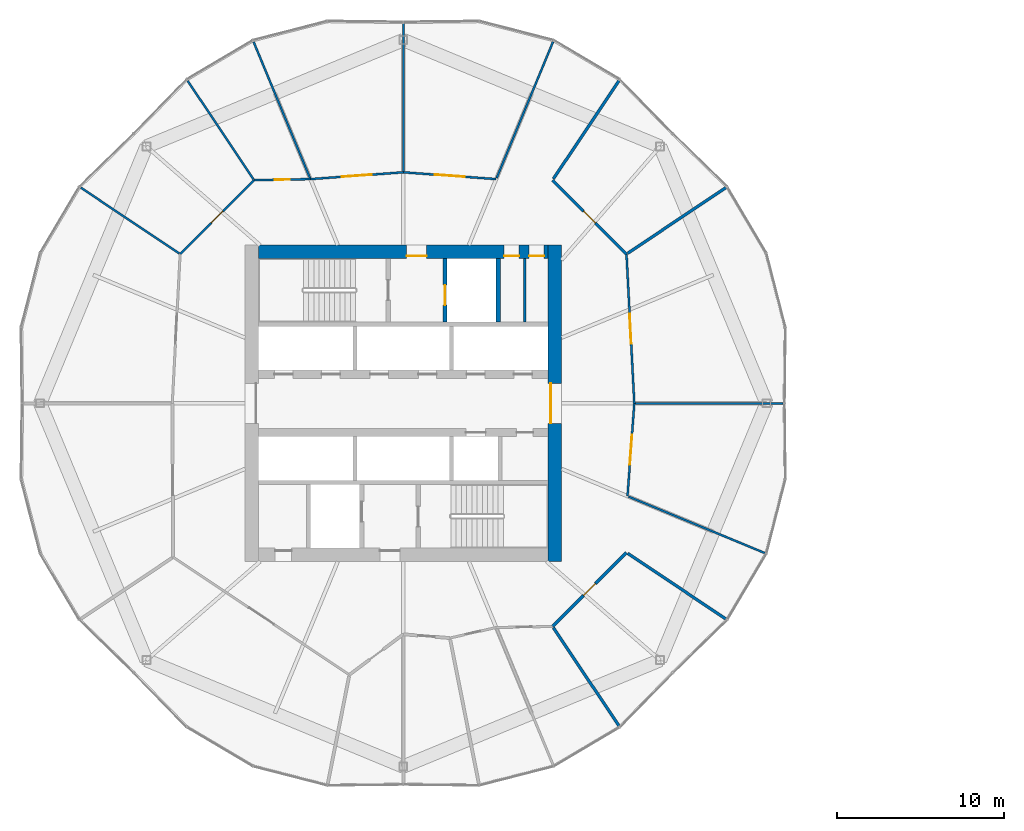
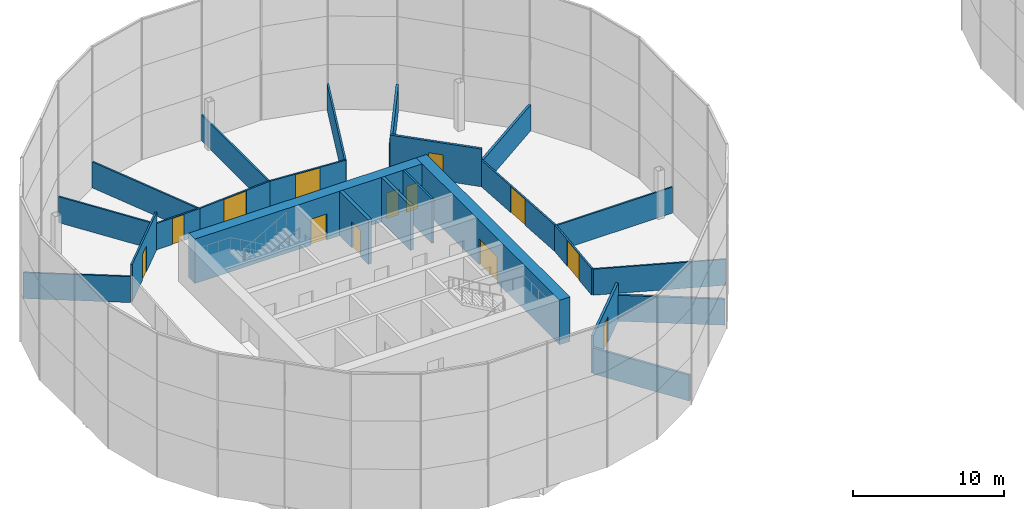
# One storey, part 21 of 25: 24 walls, 13 doors, 13 openings.
"""IFC4 building model written with IfcOpenShell, lengths in metres."""

from ifc_helpers import new_model, si_unit, direction, frame, frame_2d, origin, place, context, subcontext, project, spatial, rectangle, extrude, material, layer, layer_set, type_object, element, fill, save


model = new_model("IFC4")

# Units and contexts
model_context = context("Model", 3, precision=1e-05, world=origin(), true_north=direction((0.0, 1.0)))
body_context = subcontext(model_context, "Body", "Model", "MODEL_VIEW")
ifc_project = project(units=[si_unit("LENGTHUNIT", "METRE"), si_unit("AREAUNIT", "SQUARE_METRE"), si_unit("VOLUMEUNIT", "CUBIC_METRE"), si_unit("PLANEANGLEUNIT", "RADIAN"), si_unit("MASSUNIT", "GRAM", prefix="KILO")], contexts=[model_context])

# Site, building, storey
site_placement = place(None, origin())
site = spatial("IfcSite", under=ifc_project, at=site_placement, CompositionType="ELEMENT")
building_placement = place(site_placement, origin())
building = spatial("IfcBuilding", under=site, at=building_placement, Name="Ogive Gate Towers", CompositionType="ELEMENT")
storey_placement = place(building_placement, frame((0.0, 0.0, 44.10009765625)))
storey = spatial("IfcBuildingStorey", under=building, at=storey_placement, Name="L09", CompositionType="ELEMENT", Elevation=44.10009765625)

# Walls
ifc_material_1 = material(Name="Gypsum board acoustic partition")
ifc_layer_1 = layer(ifc_material_1, 0.175048828125)
ifc_layer_set_1 = layer_set([ifc_layer_1], Name="Acoustic partition 175")
wall_type_1 = type_object("IfcWallType", Name="Acoustic partition 175", PredefinedType="PARTITIONING", material=ifc_layer_set_1)
for number, where, z_axis, x_axis, name in (
    (1, (-16.63134765625, 12.950927734375, 0.0), (0.0, 0.0, 1.0), (-0.831292108501, -0.555835794407, 0.0), "Partition T1-L09-002"),
    (2, (-23.049072265625, 19.36865234375, 0.0), (0.0, 0.0, 1.0), (-0.555835794407, -0.831292108501, 0.0), "Partition T1-L09-003"),
    (3, (-23.049072265625, -19.36865234375, 0.0), (0.0, 0.0, 1.0), (-0.555835794407, 0.831292108501, 0.0), "Partition T1-L09-015"),
    (4, (-16.63134765625, -12.950927734375, 0.0), (0.0, 0.0, 1.0), (-0.831292108501, 0.555835794407, 0.0), "Partition T1-L09-016"),
):
    element("IfcWall", number, at=place(storey_placement, frame(where, z_axis=z_axis, x_axis=x_axis)), inside=storey, type_object=wall_type_1, Name=name, PredefinedType="PARTITIONING", context=body_context, shape_type="SweptSolid", body=[
        extrude(rectangle(XDim=7.09130859375, YDim=0.175048828125, at=frame_2d((3.545654296875, 0.0))), origin(), (0.0, 0.0, 1.0), 2.099853515625),
    ])

# Wall, opening, door
wall_1_placement = place(storey_placement, frame((-27.039306640625, -13.40087890625, 0.0), z_axis=(0.0, 0.0, 1.0), x_axis=(0.707106781187, 0.707106781187, 0.0)))
wall_1 = element("IfcWall", 5, at=wall_1_placement, inside=storey, type_object=wall_type_1, Name="Partition T1-L09-029", PredefinedType="PARTITIONING", context=body_context, shape_type="SweptSolid", body=[
    extrude(rectangle(XDim=6.279296875, YDim=0.175048828125, at=frame_2d((3.1396484375, 0.0))), origin(), (0.0, 0.0, 1.0), 3.0498046875),
])
opening_1_placement = place(wall_1_placement, frame((2.639892578125, 0.0, 0.0)))
opening_1 = element("IfcOpeningElement", 6, at=opening_1_placement, cuts=wall_1, Name="Opening T1-L09-D12", PredefinedType="OPENING", context=body_context, shape_type="SweptSolid", body=[
    extrude(rectangle(XDim=1.0, YDim=2.10009765625, at=frame_2d((0.5, 1.050048828125))), frame((0.0, 0.09765625, 0.0), z_axis=(0.0, -1.0, 0.0), x_axis=(1.0, 0.0, 0.0)), (0.0, 0.0, 1.0), 0.195068359375),
])
ifc_material_2 = material(Name="Timber door", Category="wood")
door_type_1 = type_object("IfcDoorType", Name="Door 1000", OperationType="NOTDEFINED", PredefinedType="DOOR", material=ifc_material_2)
door_1_placement = place(opening_1_placement, origin())
door_1 = element("IfcDoor", 7, at=door_1_placement, inside=storey, type_object=door_type_1, Name="Door T1-L09-D12", OperationType="SINGLE_SWING_LEFT", OverallHeight=2.10009765625, OverallWidth=1.0, PredefinedType="DOOR", context=body_context, shape_type="SweptSolid", body=[
    extrude(rectangle(XDim=1.0, YDim=2.10009765625, at=frame_2d((0.5, 1.050048828125))), frame((0.0, 0.02490234375, 0.0), z_axis=(0.0, -1.0, 0.0), x_axis=(1.0, 0.0, 0.0)), (0.0, 0.0, 1.0), 0.050048828125),
])
fill(opening_1, door_1)

wall_2_placement = place(storey_placement, frame((-22.59912109375, 8.960693359375, 0.0), z_axis=(0.0, 0.0, 1.0), x_axis=(-0.707106781187, 0.707106781187, 0.0)))
wall_2 = element("IfcWall", 8, at=wall_2_placement, inside=storey, type_object=wall_type_1, Name="Partition T1-L09-032", PredefinedType="PARTITIONING", context=body_context, shape_type="SweptSolid", body=[
    extrude(rectangle(XDim=6.279296875, YDim=0.175048828125, at=frame_2d((3.1396484375, 0.0))), origin(), (0.0, 0.0, 1.0), 3.0498046875),
])
opening_2_placement = place(wall_2_placement, frame((2.639892578125, 0.0, 0.0)))
opening_2 = element("IfcOpeningElement", 9, at=opening_2_placement, cuts=wall_2, Name="Opening T1-L09-D15", PredefinedType="OPENING", context=body_context, shape_type="SweptSolid", body=[
    extrude(rectangle(XDim=1.0, YDim=2.10009765625, at=frame_2d((0.5, 1.050048828125))), frame((0.0, 0.09765625, 0.0), z_axis=(0.0, -1.0, 0.0), x_axis=(1.0, 0.0, 0.0)), (0.0, 0.0, 1.0), 0.195068359375),
])
door_2_placement = place(opening_2_placement, origin())
door_2 = element("IfcDoor", 10, at=door_2_placement, inside=storey, type_object=door_type_1, Name="Door T1-L09-D15", OperationType="SINGLE_SWING_LEFT", OverallHeight=2.10009765625, OverallWidth=1.0, PredefinedType="DOOR", context=body_context, shape_type="SweptSolid", body=[
    extrude(rectangle(XDim=1.0, YDim=2.10009765625, at=frame_2d((0.5, 1.050048828125))), frame((0.0, 0.02490234375, 0.0), z_axis=(0.0, -1.0, 0.0), x_axis=(1.0, 0.0, 0.0)), (0.0, 0.0, 1.0), 0.050048828125),
])
fill(opening_2, door_2)

# Wall, openings, doors
ifc_material_3 = material(Name="Concrete C60/75", Category="concrete")
ifc_layer_2 = layer(ifc_material_3, 0.800048828125)
ifc_layer_set_2 = layer_set([ifc_layer_2], Name="Core wall 800 mm")
wall_type_2 = type_object("IfcWallType", Name="Core wall 800 mm", PredefinedType="SHEAR", material=ifc_layer_set_2)
wall_3_placement = place(storey_placement, frame((-44.699951171875, 9.10009765625, 0.0), z_axis=(0.0, 0.0, 1.0), x_axis=(1.0, 0.0, 0.0)))
wall_3 = element("IfcWall", 11, at=wall_3_placement, inside=storey, type_object=wall_type_2, Name="T1 L09 Core wall 800 mm", PredefinedType="SHEAR", context=body_context, shape_type="SweptSolid", body=[
    extrude(rectangle(XDim=17.39990234375, YDim=0.800048828125, at=frame_2d((8.699951171875, 0.0))), origin(), (0.0, 0.0, 1.0), 3.599853515625),
])
opening_3_placement = place(wall_3_placement, frame((8.89990234375, 0.0, 0.0)))
opening_3 = element("IfcOpeningElement", 12, at=opening_3_placement, cuts=wall_3, Name="Opening KD-T1-L09-15", PredefinedType="OPENING", context=body_context, shape_type="SweptSolid", body=[
    extrude(rectangle(XDim=1.199951171875, YDim=2.10009765625, at=frame_2d((0.60009765625, 1.050048828125))), frame((0.0, 0.41015625, 0.0), z_axis=(0.0, -1.0, 0.0), x_axis=(1.0, 0.0, 0.0)), (0.0, 0.0, 1.0), 0.820068359375),
])
opening_4_placement = place(wall_3_placement, frame((14.75, 0.0, 0.0)))
opening_4 = element("IfcOpeningElement", 13, at=opening_4_placement, cuts=wall_3, Name="Opening KD-T1-L09-17", PredefinedType="OPENING", context=body_context, shape_type="SweptSolid", body=[
    extrude(rectangle(XDim=0.89990234375, YDim=2.10009765625, at=frame_2d((0.449951171875, 1.050048828125))), frame((0.0, 0.41015625, 0.0), z_axis=(0.0, -1.0, 0.0), x_axis=(1.0, 0.0, 0.0)), (0.0, 0.0, 1.0), 0.820068359375),
])
opening_5_placement = place(wall_3_placement, frame((16.25, 0.0, 0.0)))
opening_5 = element("IfcOpeningElement", 14, at=opening_5_placement, cuts=wall_3, Name="Opening KD-T1-L09-18", PredefinedType="OPENING", context=body_context, shape_type="SweptSolid", body=[
    extrude(rectangle(XDim=0.89990234375, YDim=2.10009765625, at=frame_2d((0.449951171875, 1.050048828125))), frame((0.0, 0.41015625, 0.0), z_axis=(0.0, -1.0, 0.0), x_axis=(1.0, 0.0, 0.0)), (0.0, 0.0, 1.0), 0.820068359375),
])
door_type_2 = type_object("IfcDoorType", Name="Core WC door 900 x 2100", OperationType="NOTDEFINED", PredefinedType="DOOR", material=ifc_material_2)
door_3_placement = place(opening_4_placement, origin())
door_3 = element("IfcDoor", 15, at=door_3_placement, inside=storey, type_object=door_type_2, Name="T1 L09 Core door", OperationType="SINGLE_SWING_RIGHT", OverallHeight=2.10009765625, OverallWidth=0.89990234375, PredefinedType="DOOR", context=body_context, shape_type="SweptSolid", body=[
    extrude(rectangle(XDim=0.89990234375, YDim=2.10009765625, at=frame_2d((0.449951171875, 1.050048828125))), frame((0.0, -0.22509765625, 0.0), z_axis=(0.0, -1.0, 0.0), x_axis=(1.0, 0.0, 0.0)), (0.0, 0.0, 1.0), 0.050048828125),
])
fill(opening_4, door_3)
door_4_placement = place(opening_5_placement, origin())
door_4 = element("IfcDoor", 16, at=door_4_placement, inside=storey, type_object=door_type_2, Name="T1 L09 Core door", OperationType="SINGLE_SWING_LEFT", OverallHeight=2.10009765625, OverallWidth=0.89990234375, PredefinedType="DOOR", context=body_context, shape_type="SweptSolid", body=[
    extrude(rectangle(XDim=0.89990234375, YDim=2.10009765625, at=frame_2d((0.449951171875, 1.050048828125))), frame((0.0, -0.22509765625, 0.0), z_axis=(0.0, -1.0, 0.0), x_axis=(1.0, 0.0, 0.0)), (0.0, 0.0, 1.0), 0.050048828125),
])
fill(opening_5, door_4)
ifc_material_4 = material(Name="Steel fire door", Category="steel")
door_type_3 = type_object("IfcDoorType", Name="Core door FD60S 1200 x 2100", OperationType="NOTDEFINED", PredefinedType="DOOR", material=ifc_material_4)
door_5_placement = place(opening_3_placement, origin())
door_5 = element("IfcDoor", 17, at=door_5_placement, inside=storey, type_object=door_type_3, Name="T1 L09 Fire-fighting lobby door", OperationType="SINGLE_SWING_RIGHT", OverallHeight=2.10009765625, OverallWidth=1.199951171875, PredefinedType="DOOR", context=body_context, shape_type="SweptSolid", body=[
    extrude(rectangle(XDim=1.199951171875, YDim=2.10009765625, at=frame_2d((0.60009765625, 1.050048828125))), frame((0.0, -0.22509765625, 0.0), z_axis=(0.0, -1.0, 0.0), x_axis=(1.0, 0.0, 0.0)), (0.0, 0.0, 1.0), 0.050048828125),
])
fill(opening_3, door_5)

# Wall, opening, door
wall_4_placement = place(storey_placement, frame((-26.89990234375, -9.5, 0.0), z_axis=(0.0, 0.0, 1.0), x_axis=(0.0, 1.0, 0.0)))
wall_4 = element("IfcWall", 18, at=wall_4_placement, inside=storey, type_object=wall_type_2, Name="T1 L09 Core wall 800 mm", PredefinedType="SHEAR", context=body_context, shape_type="SweptSolid", body=[
    extrude(rectangle(XDim=19.0, YDim=0.800048828125, at=frame_2d((9.5, 0.0))), origin(), (0.0, 0.0, 1.0), 3.599853515625),
])
opening_6_placement = place(wall_4_placement, frame((8.300048828125, 0.0, 0.0)))
opening_6 = element("IfcOpeningElement", 19, at=opening_6_placement, cuts=wall_4, Name="Opening KD-T1-L09-02", PredefinedType="OPENING", context=body_context, shape_type="SweptSolid", body=[
    extrude(rectangle(XDim=2.39990234375, YDim=2.10009765625, at=frame_2d((1.199951171875, 1.050048828125))), frame((0.0, 0.41015625, 0.0), z_axis=(0.0, -1.0, 0.0), x_axis=(1.0, 0.0, 0.0)), (0.0, 0.0, 1.0), 0.820068359375),
])
door_type_4 = type_object("IfcDoorType", Name="Core double door FD60S 2400 x 2100", OperationType="DOUBLE_DOOR_SINGLE_SWING", PredefinedType="DOOR", material=ifc_material_4)
door_6_placement = place(opening_6_placement, origin())
door_6 = element("IfcDoor", 20, at=door_6_placement, inside=storey, type_object=door_type_4, Name="T1 L09 Core door double", OperationType="DOUBLE_DOOR_SINGLE_SWING", OverallHeight=2.10009765625, OverallWidth=2.39990234375, PredefinedType="DOOR", context=body_context, shape_type="SweptSolid", body=[
    extrude(rectangle(XDim=2.39990234375, YDim=2.10009765625, at=frame_2d((1.199951171875, 1.050048828125))), frame((0.0, 0.27490234375, 0.0), z_axis=(0.0, -1.0, 0.0), x_axis=(1.0, 0.0, 0.0)), (0.0, 0.0, 1.0), 0.050048828125),
])
fill(opening_6, door_6)

# Walls
ifc_material_5 = material(Name="Gypsum board partition")
ifc_layer_3 = layer(ifc_material_5, 0.125)
ifc_layer_set_3 = layer_set([ifc_layer_3], Name="Partition 125")
wall_type_3 = type_object("IfcWallType", Name="Partition 125", PredefinedType="PARTITIONING", material=ifc_layer_set_3)
for number, where, z_axis, x_axis, name in (
    (21, (-13.200927734375, 0.0, 0.0), (0.0, 0.0, 1.0), (-1.0, 0.0, 0.0), "Partition T1-L09-001"),
    (22, (-27.007080078125, 21.711181640625, 0.0), (0.0, 0.0, 1.0), (-0.382657399133, -0.923890315399, 0.0), "Partition T1-L09-004"),
    (23, (-36.0, 22.799072265625, 0.0), (0.0, 0.0, 1.0), (0.0, -1.0, 0.0), "Partition T1-L09-005"),
    (24, (-44.992919921875, 21.711181640625, 0.0), (0.0, 0.0, 1.0), (0.382657399133, -0.923890315399, 0.0), "Partition T1-L09-006"),
):
    element("IfcWall", number, at=place(storey_placement, frame(where, z_axis=z_axis, x_axis=x_axis)), inside=storey, type_object=wall_type_3, Name=name, PredefinedType="PARTITIONING", context=body_context, shape_type="SweptSolid", body=[
        extrude(rectangle(XDim=8.866455078125, YDim=0.125, at=frame_2d((4.43310546875, 0.0))), origin(), (0.0, 0.0, 1.0), 2.099853515625),
    ])
for number, where, z_axis, x_axis, name in (
    (25, (-48.950927734375, 19.36865234375, 0.0), (0.0, 0.0, 1.0), (0.555839718836, -0.831289484454, 0.0), "Partition T1-L09-007"),
    (26, (-55.36865234375, 12.950927734375, 0.0), (0.0, 0.0, 1.0), (0.831289484454, -0.555839718836, 0.0), "Partition T1-L09-008"),
):
    element("IfcWall", number, at=place(storey_placement, frame(where, z_axis=z_axis, x_axis=x_axis)), inside=storey, type_object=wall_type_3, Name=name, PredefinedType="PARTITIONING", context=body_context, shape_type="SweptSolid", body=[
        extrude(rectangle(XDim=7.116455078125, YDim=0.125, at=frame_2d((3.55810546875, 0.0))), origin(), (0.0, 0.0, 1.0), 2.099853515625),
    ])
wall_5_placement = place(storey_placement, frame((-14.288818359375, -8.992919921875, 0.0), z_axis=(0.0, 0.0, 1.0), x_axis=(-0.923890315399, 0.382657399133, 0.0)))
element("IfcWall", 27, at=wall_5_placement, inside=storey, type_object=wall_type_3, Name="Partition T1-L09-017", PredefinedType="PARTITIONING", context=body_context, shape_type="SweptSolid", body=[
    extrude(rectangle(XDim=8.866455078125, YDim=0.125, at=frame_2d((4.43310546875, 0.0))), origin(), (0.0, 0.0, 1.0), 2.099853515625),
])

# Wall, opening, door
wall_6_placement = place(storey_placement, frame((-30.423828125, 13.4619140625, 0.0), z_axis=(0.0, 0.0, 1.0), x_axis=(-0.99733124258, 0.073009537548, 0.0)))
wall_6 = element("IfcWall", 28, at=wall_6_placement, inside=storey, type_object=wall_type_3, Name="Partition T1-L09-018", PredefinedType="PARTITIONING", context=body_context, shape_type="SweptSolid", body=[
    extrude(rectangle(XDim=5.591064453125, YDim=0.125, at=frame_2d((2.79541015625, 0.0))), origin(), (0.0, 0.0, 1.0), 2.139892578125),
])
opening_7_placement = place(wall_6_placement, frame((1.89501953125, 0.0, 0.0)))
opening_7 = element("IfcOpeningElement", 29, at=opening_7_placement, cuts=wall_6, Name="Opening T1-L09-D01", PredefinedType="OPENING", context=body_context, shape_type="SweptSolid", body=[
    extrude(rectangle(XDim=1.800048828125, YDim=2.10009765625, at=frame_2d((0.89990234375, 1.050048828125))), frame((0.0, 0.072509765625, 0.0), z_axis=(0.0, -1.0, 0.0), x_axis=(1.0, 0.0, 0.0)), (0.0, 0.0, 1.0), 0.14501953125),
])
door_type_5 = type_object("IfcDoorType", Name="Door pair 1800", OperationType="NOTDEFINED", PredefinedType="DOOR", material=ifc_material_2)
door_7_placement = place(opening_7_placement, origin())
door_7 = element("IfcDoor", 30, at=door_7_placement, inside=storey, type_object=door_type_5, Name="Door T1-L09-D01", OperationType="DOUBLE_DOOR_DOUBLE_SWING", OverallHeight=2.10009765625, OverallWidth=1.800048828125, PredefinedType="DOOR", context=body_context, shape_type="SweptSolid", body=[
    extrude(rectangle(XDim=1.800048828125, YDim=2.10009765625, at=frame_2d((0.89990234375, 1.050048828125))), frame((0.0, 0.02490234375, 0.0), z_axis=(0.0, -1.0, 0.0), x_axis=(1.0, 0.0, 0.0)), (0.0, 0.0, 1.0), 0.050048828125),
])
fill(opening_7, door_7)

wall_7_placement = place(storey_placement, frame((-36.0, 13.8701171875, 0.0), z_axis=(0.0, 0.0, 1.0), x_axis=(-0.99733124258, -0.073009537548, 0.0)))
wall_7 = element("IfcWall", 31, at=wall_7_placement, inside=storey, type_object=wall_type_3, Name="Partition T1-L09-019", PredefinedType="PARTITIONING", context=body_context, shape_type="SweptSolid", body=[
    extrude(rectangle(XDim=5.591064453125, YDim=0.125, at=frame_2d((2.79541015625, 0.0))), origin(), (0.0, 0.0, 1.0), 2.139892578125),
])
opening_8_placement = place(wall_7_placement, frame((1.89501953125, 0.0, 0.0)))
opening_8 = element("IfcOpeningElement", 32, at=opening_8_placement, cuts=wall_7, Name="Opening T1-L09-D02", PredefinedType="OPENING", context=body_context, shape_type="SweptSolid", body=[
    extrude(rectangle(XDim=1.800048828125, YDim=2.10009765625, at=frame_2d((0.89990234375, 1.050048828125))), frame((0.0, 0.072509765625, 0.0), z_axis=(0.0, -1.0, 0.0), x_axis=(1.0, 0.0, 0.0)), (0.0, 0.0, 1.0), 0.14501953125),
])
door_8_placement = place(opening_8_placement, origin())
door_8 = element("IfcDoor", 33, at=door_8_placement, inside=storey, type_object=door_type_5, Name="Door T1-L09-D02", OperationType="DOUBLE_DOOR_DOUBLE_SWING", OverallHeight=2.10009765625, OverallWidth=1.800048828125, PredefinedType="DOOR", context=body_context, shape_type="SweptSolid", body=[
    extrude(rectangle(XDim=1.800048828125, YDim=2.10009765625, at=frame_2d((0.89990234375, 1.050048828125))), frame((0.0, 0.02490234375, 0.0), z_axis=(0.0, -1.0, 0.0), x_axis=(1.0, 0.0, 0.0)), (0.0, 0.0, 1.0), 0.050048828125),
])
fill(opening_8, door_8)

wall_8_placement = place(storey_placement, frame((-41.576171875, 13.4619140625, 0.0), z_axis=(0.0, 0.0, 1.0), x_axis=(-0.999837434021, -0.018030683006, 0.0)))
wall_8 = element("IfcWall", 34, at=wall_8_placement, inside=storey, type_object=wall_type_3, Name="Partition T1-L09-020", PredefinedType="PARTITIONING", context=body_context, shape_type="SweptSolid", body=[
    extrude(rectangle(XDim=3.385009765625, YDim=0.125, at=frame_2d((1.6923828125, 0.0))), origin(), (0.0, 0.0, 1.0), 2.139892578125),
])
opening_9_placement = place(wall_8_placement, frame((1.242919921875, 0.0, 0.0)))
opening_9 = element("IfcOpeningElement", 35, at=opening_9_placement, cuts=wall_8, Name="Opening T1-L09-D03", PredefinedType="OPENING", context=body_context, shape_type="SweptSolid", body=[
    extrude(rectangle(XDim=0.89990234375, YDim=2.10009765625, at=frame_2d((0.449951171875, 1.050048828125))), frame((0.0, 0.072509765625, 0.0), z_axis=(0.0, -1.0, 0.0), x_axis=(1.0, 0.0, 0.0)), (0.0, 0.0, 1.0), 0.14501953125),
])
door_type_6 = type_object("IfcDoorType", Name="Door 900", OperationType="NOTDEFINED", PredefinedType="DOOR", material=ifc_material_2)
door_9_placement = place(opening_9_placement, origin())
door_9 = element("IfcDoor", 36, at=door_9_placement, inside=storey, type_object=door_type_6, Name="Door T1-L09-D03", OperationType="SINGLE_SWING_RIGHT", OverallHeight=2.10009765625, OverallWidth=0.89990234375, PredefinedType="DOOR", context=body_context, shape_type="SweptSolid", body=[
    extrude(rectangle(XDim=0.89990234375, YDim=2.10009765625, at=frame_2d((0.449951171875, 1.050048828125))), frame((0.0, 0.02490234375, 0.0), z_axis=(0.0, -1.0, 0.0), x_axis=(1.0, 0.0, 0.0)), (0.0, 0.0, 1.0), 0.050048828125),
])
fill(opening_9, door_9)

wall_9_placement = place(storey_placement, frame((-44.960693359375, 13.40087890625, 0.0), z_axis=(0.0, 0.0, 1.0), x_axis=(-0.707106781187, -0.707106781187, 0.0)))
wall_9 = element("IfcWall", 37, at=wall_9_placement, inside=storey, type_object=wall_type_3, Name="Partition T1-L09-021", PredefinedType="PARTITIONING", context=body_context, shape_type="SweptSolid", body=[
    extrude(rectangle(XDim=6.279296875, YDim=0.125, at=frame_2d((3.1396484375, 0.0))), origin(), (0.0, 0.0, 1.0), 3.0498046875),
])
opening_10_placement = place(wall_9_placement, frame((2.639892578125, 0.0, 0.0)))
opening_10 = element("IfcOpeningElement", 38, at=opening_10_placement, cuts=wall_9, Name="Opening T1-L09-D04", PredefinedType="OPENING", context=body_context, shape_type="SweptSolid", body=[
    extrude(rectangle(XDim=1.0, YDim=2.10009765625, at=frame_2d((0.5, 1.050048828125))), frame((0.0, 0.072509765625, 0.0), z_axis=(0.0, -1.0, 0.0), x_axis=(1.0, 0.0, 0.0)), (0.0, 0.0, 1.0), 0.14501953125),
])
door_10_placement = place(opening_10_placement, origin())
door_10 = element("IfcDoor", 39, at=door_10_placement, inside=storey, type_object=door_type_1, Name="Door T1-L09-D04", OperationType="SINGLE_SWING_LEFT", OverallHeight=2.10009765625, OverallWidth=1.0, PredefinedType="DOOR", context=body_context, shape_type="SweptSolid", body=[
    extrude(rectangle(XDim=1.0, YDim=2.10009765625, at=frame_2d((0.5, 1.050048828125))), frame((0.0, 0.02490234375, 0.0), z_axis=(0.0, -1.0, 0.0), x_axis=(1.0, 0.0, 0.0)), (0.0, 0.0, 1.0), 0.050048828125),
])
fill(opening_10, door_10)

wall_10_placement = place(storey_placement, frame((-22.5380859375, -5.576171875, 0.0), z_axis=(0.0, 0.0, 1.0), x_axis=(0.073009537548, 0.99733124258, 0.0)))
wall_10 = element("IfcWall", 40, at=wall_10_placement, inside=storey, type_object=wall_type_3, Name="Partition T1-L09-030", PredefinedType="PARTITIONING", context=body_context, shape_type="SweptSolid", body=[
    extrude(rectangle(XDim=5.591064453125, YDim=0.125, at=frame_2d((2.79541015625, 0.0))), origin(), (0.0, 0.0, 1.0), 2.139892578125),
])
opening_11_placement = place(wall_10_placement, frame((1.89501953125, 0.0, 0.0)))
opening_11 = element("IfcOpeningElement", 41, at=opening_11_placement, cuts=wall_10, Name="Opening T1-L09-D13", PredefinedType="OPENING", context=body_context, shape_type="SweptSolid", body=[
    extrude(rectangle(XDim=1.800048828125, YDim=2.10009765625, at=frame_2d((0.89990234375, 1.050048828125))), frame((0.0, 0.072509765625, 0.0), z_axis=(0.0, -1.0, 0.0), x_axis=(1.0, 0.0, 0.0)), (0.0, 0.0, 1.0), 0.14501953125),
])
door_11_placement = place(opening_11_placement, origin())
door_11 = element("IfcDoor", 42, at=door_11_placement, inside=storey, type_object=door_type_5, Name="Door T1-L09-D13", OperationType="DOUBLE_DOOR_DOUBLE_SWING", OverallHeight=2.10009765625, OverallWidth=1.800048828125, PredefinedType="DOOR", context=body_context, shape_type="SweptSolid", body=[
    extrude(rectangle(XDim=1.800048828125, YDim=2.10009765625, at=frame_2d((0.89990234375, 1.050048828125))), frame((0.0, 0.02490234375, 0.0), z_axis=(0.0, -1.0, 0.0), x_axis=(1.0, 0.0, 0.0)), (0.0, 0.0, 1.0), 0.050048828125),
])
fill(opening_11, door_11)

wall_11_placement = place(storey_placement, frame((-22.1298828125, 0.0, 0.0), z_axis=(0.0, 0.0, 1.0), x_axis=(-0.052294638748, 0.998631699256, 0.0)))
wall_11 = element("IfcWall", 43, at=wall_11_placement, inside=storey, type_object=wall_type_3, Name="Partition T1-L09-031", PredefinedType="PARTITIONING", context=body_context, shape_type="SweptSolid", body=[
    extrude(rectangle(XDim=8.972900390625, YDim=0.125, at=frame_2d((4.486328125, 0.0))), origin(), (0.0, 0.0, 1.0), 2.139892578125),
])
opening_12_placement = place(wall_11_placement, frame((3.5859375, 0.0, 0.0)))
opening_12 = element("IfcOpeningElement", 44, at=opening_12_placement, cuts=wall_11, Name="Opening T1-L09-D14", PredefinedType="OPENING", context=body_context, shape_type="SweptSolid", body=[
    extrude(rectangle(XDim=1.800048828125, YDim=2.10009765625, at=frame_2d((0.89990234375, 1.050048828125))), frame((0.0, 0.072509765625, 0.0), z_axis=(0.0, -1.0, 0.0), x_axis=(1.0, 0.0, 0.0)), (0.0, 0.0, 1.0), 0.14501953125),
])
door_12_placement = place(opening_12_placement, origin())
door_12 = element("IfcDoor", 45, at=door_12_placement, inside=storey, type_object=door_type_5, Name="Door T1-L09-D14", OperationType="DOUBLE_DOOR_DOUBLE_SWING", OverallHeight=2.10009765625, OverallWidth=1.800048828125, PredefinedType="DOOR", context=body_context, shape_type="SweptSolid", body=[
    extrude(rectangle(XDim=1.800048828125, YDim=2.10009765625, at=frame_2d((0.89990234375, 1.050048828125))), frame((0.0, 0.02490234375, 0.0), z_axis=(0.0, -1.0, 0.0), x_axis=(1.0, 0.0, 0.0)), (0.0, 0.0, 1.0), 0.050048828125),
])
fill(opening_12, door_12)

# Wall
ifc_layer_4 = layer(ifc_material_5, 0.14990234375)
ifc_layer_set_4 = layer_set([ifc_layer_4], Name="Room partition 150 mm")
wall_type_4 = type_object("IfcWallType", Name="Room partition 150 mm", PredefinedType="PARTITIONING", material=ifc_layer_set_4)
wall_12_placement = place(storey_placement, frame((-28.699951171875, 4.875, 0.0), z_axis=(0.0, 0.0, 1.0), x_axis=(0.0, 1.0, 0.0)))
element("IfcWall", 46, at=wall_12_placement, inside=storey, type_object=wall_type_4, Name="T1 L09 Room partition 150 mm", PredefinedType="PARTITIONING", context=body_context, shape_type="SweptSolid", body=[
    extrude(rectangle(XDim=3.824951171875, YDim=0.14990234375, at=frame_2d((1.91259765625, 0.0))), origin(), (0.0, 0.0, 1.0), 3.599853515625),
])

# Wall, opening, door
ifc_layer_5 = layer(ifc_material_3, 0.25)
ifc_layer_set_5 = layer_set([ifc_layer_5], Name="Shaft wall 250 mm")
wall_type_5 = type_object("IfcWallType", Name="Shaft wall 250 mm", PredefinedType="SHEAR", material=ifc_layer_set_5)
wall_13_placement = place(storey_placement, frame((-33.5, 4.875, 0.0), z_axis=(0.0, 0.0, 1.0), x_axis=(0.0, 1.0, 0.0)))
wall_13 = element("IfcWall", 47, at=wall_13_placement, inside=storey, type_object=wall_type_5, Name="T1 L09 Shaft wall 250 mm", PredefinedType="SHEAR", context=body_context, shape_type="SweptSolid", body=[
    extrude(rectangle(XDim=3.824951171875, YDim=0.25, at=frame_2d((1.91259765625, 0.0))), origin(), (0.0, 0.0, 1.0), 3.599853515625),
])
opening_13_placement = place(wall_13_placement, frame((1.02490234375, 0.0, 0.0)))
opening_13 = element("IfcOpeningElement", 48, at=opening_13_placement, cuts=wall_13, Name="Opening LD-T1-L09-10", PredefinedType="OPENING", context=body_context, shape_type="SweptSolid", body=[
    extrude(rectangle(XDim=1.199951171875, YDim=2.10009765625, at=frame_2d((0.60009765625, 1.050048828125))), frame((0.0, 0.135009765625, 0.0), z_axis=(0.0, -1.0, 0.0), x_axis=(1.0, 0.0, 0.0)), (0.0, 0.0, 1.0), 0.27001953125),
])
ifc_material_6 = material(Name="Stainless steel landing door", Category="steel")
door_type_7 = type_object("IfcDoorType", Name="Landing door 1200 x 2100", OperationType="SLIDING_TO_LEFT", PredefinedType="DOOR", material=ifc_material_6)
door_13_placement = place(opening_13_placement, origin())
door_13 = element("IfcDoor", 49, at=door_13_placement, inside=storey, type_object=door_type_7, Name="T1 L09 Lift landing door FF1", OperationType="SLIDING_TO_LEFT", OverallHeight=2.10009765625, OverallWidth=1.199951171875, PredefinedType="DOOR", context=body_context, shape_type="SweptSolid", body=[
    extrude(rectangle(XDim=1.199951171875, YDim=2.10009765625, at=frame_2d((0.60009765625, 1.050048828125))), frame((0.0, 0.02490234375, 0.0), z_axis=(0.0, -1.0, 0.0), x_axis=(1.0, 0.0, 0.0)), (0.0, 0.0, 1.0), 0.050048828125),
])
fill(opening_13, door_13)

# Wall
wall_14_placement = place(storey_placement, frame((-30.300048828125, 4.875, 0.0), z_axis=(0.0, 0.0, 1.0), x_axis=(0.0, 1.0, 0.0)))
element("IfcWall", 50, at=wall_14_placement, inside=storey, type_object=wall_type_5, Name="T1 L09 Shaft wall 250 mm", PredefinedType="SHEAR", context=body_context, shape_type="SweptSolid", body=[
    extrude(rectangle(XDim=3.824951171875, YDim=0.25, at=frame_2d((1.91259765625, 0.0))), origin(), (0.0, 0.0, 1.0), 3.599853515625),
])

save(model, "model.ifc")
